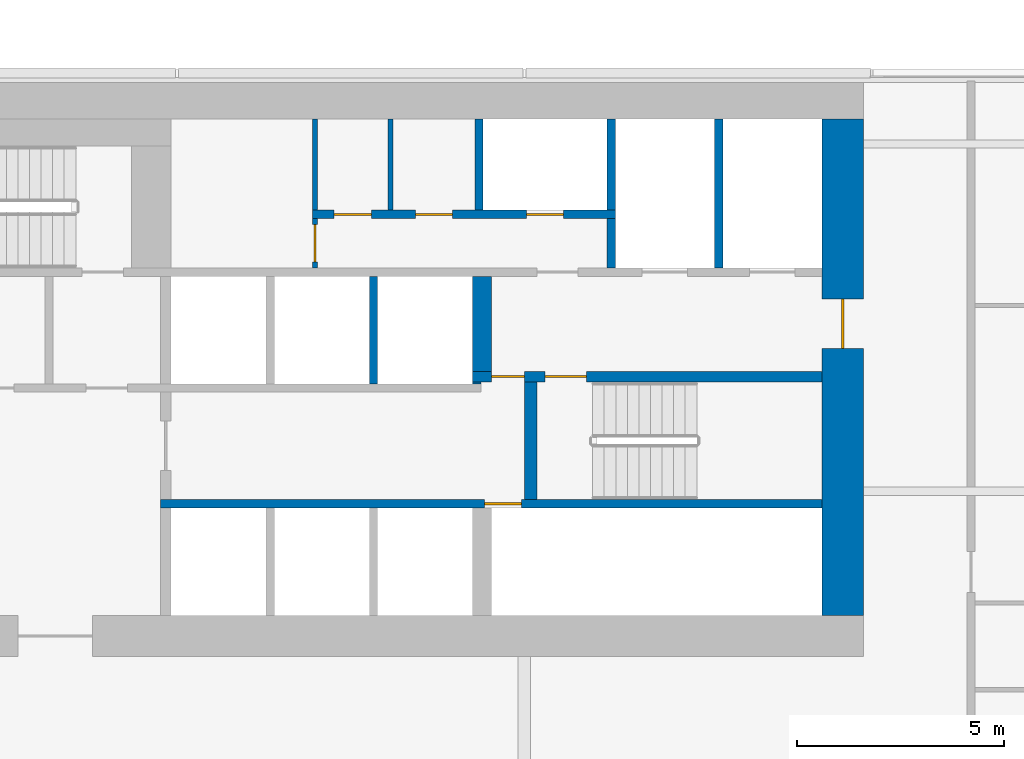
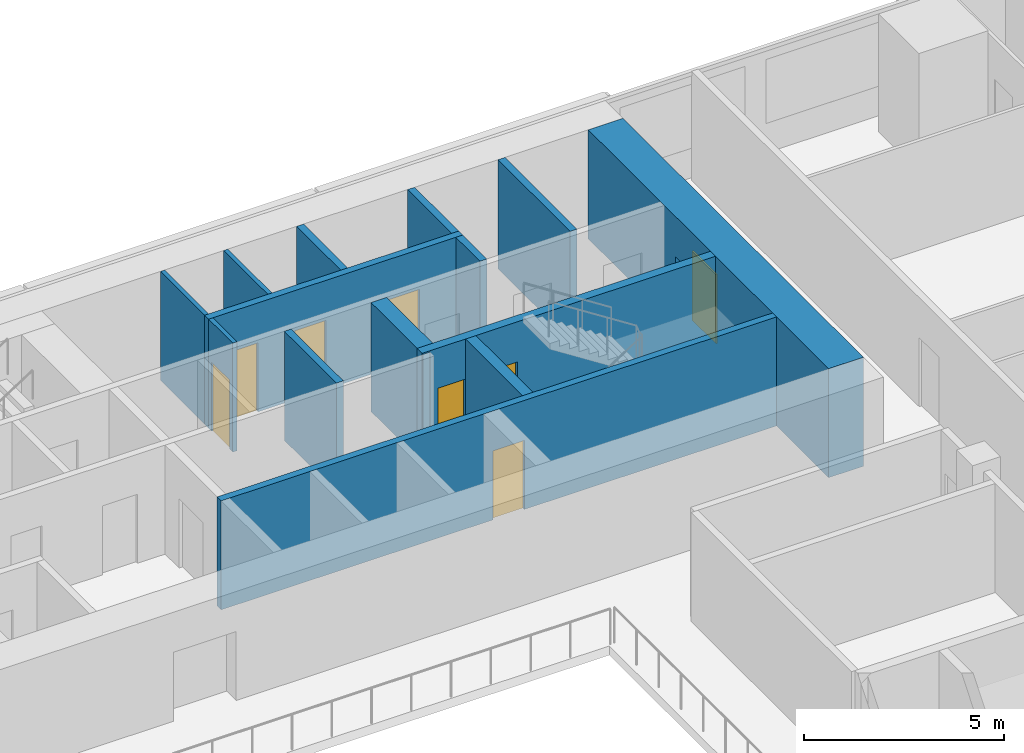
# One storey, part 22 of 27: 15 walls, 8 doors, 8 openings.
"""IFC4 building model written with IfcOpenShell, lengths in metres."""

from ifc_helpers import new_model, si_unit, direction, frame, frame_2d, origin, place, context, subcontext, project, spatial, rectangle, extrude, material, layer, layer_set, type_object, element, fill, save


model = new_model("IFC4")

# Units and contexts
model_context = context("Model", 3, precision=1e-05, world=origin(), true_north=direction((0.0, 1.0)))
body_context = subcontext(model_context, "Body", "Model", "MODEL_VIEW")
ifc_project = project(units=[si_unit("LENGTHUNIT", "METRE"), si_unit("AREAUNIT", "SQUARE_METRE"), si_unit("VOLUMEUNIT", "CUBIC_METRE"), si_unit("PLANEANGLEUNIT", "RADIAN"), si_unit("MASSUNIT", "GRAM", prefix="KILO")], contexts=[model_context])

# Site, building, storey
site_placement = place(None, origin())
site = spatial("IfcSite", under=ifc_project, at=site_placement, CompositionType="ELEMENT")
building_placement = place(site_placement, origin())
building = spatial("IfcBuilding", under=site, at=building_placement, Name="Saffron Gate Tower", CompositionType="ELEMENT")
storey_placement = place(building_placement, frame((0.0, 0.0, 124.050048828125)))
storey = spatial("IfcBuildingStorey", under=building, at=storey_placement, Name="L29", CompositionType="ELEMENT", Elevation=124.050048828125)

# Wall, opening, door
ifc_material_1 = material(Name="Concrete C70", Category="concrete")
ifc_layer_1 = layer(ifc_material_1, 1.0)
ifc_layer_set_1 = layer_set([ifc_layer_1], Name="CW12 RC core wall 1000 C70")
wall_type_1 = type_object("IfcWallType", Name="CW12 RC core wall 1000 C70", PredefinedType="SOLIDWALL", material=ifc_layer_set_1)
wall_1_placement = place(storey_placement, frame((107.89990234375, 62.39990234375, 0.0), z_axis=(0.0, 0.0, 1.0), x_axis=(0.0, 1.0, 0.0)))
wall_1 = element("IfcWall", 1, at=wall_1_placement, inside=storey, type_object=wall_type_1, Name="Wall CW12-L29-4", PredefinedType="SOLIDWALL", context=body_context, shape_type="SweptSolid", body=[
    extrude(rectangle(XDim=12.0, YDim=1.0, at=frame_2d((6.0, 0.0))), origin(), (0.0, 0.0, 1.0), 3.320068359375),
])
opening_1_placement = place(wall_1_placement, frame((6.449951171875, 0.0, 0.0)))
opening_1 = element("IfcOpeningElement", 2, at=opening_1_placement, cuts=wall_1, Name="Opening CR-08", PredefinedType="OPENING", context=body_context, shape_type="SweptSolid", body=[
    extrude(rectangle(XDim=1.199951171875, YDim=2.10009765625, at=frame_2d((0.60009765625, 1.050048828125))), frame((0.0, 0.510009765625, 0.0), z_axis=(0.0, -1.0, 0.0), x_axis=(1.0, 0.0, 0.0)), (0.0, 0.0, 1.0), 1.02001953125),
])
ifc_material_2 = material(Name="Steel fire door set", Category="steel")
door_type_1 = type_object("IfcDoorType", Name="CD7 Core entrance door 1200x2100 EI 120", OperationType="NOTDEFINED", PredefinedType="DOOR", material=ifc_material_2)
door_1_placement = place(opening_1_placement, origin())
door_1 = element("IfcDoor", 3, at=door_1_placement, inside=storey, type_object=door_type_1, Name="DOOR CR-08", OperationType="SINGLE_SWING_RIGHT", OverallHeight=2.10009765625, OverallWidth=1.199951171875, PredefinedType="DOOR", context=body_context, shape_type="SweptSolid", body=[
    extrude(rectangle(XDim=1.199951171875, YDim=2.10009765625, at=frame_2d((0.60009765625, 1.050048828125))), frame((0.0, 0.02490234375, 0.0), z_axis=(0.0, -1.0, 0.0), x_axis=(1.0, 0.0, 0.0)), (0.0, 0.0, 1.0), 0.050048828125),
])
fill(opening_1, door_1)

# Wall, openings, doors
ifc_layer_2 = layer(ifc_material_1, 0.25)
ifc_layer_set_2 = layer_set([ifc_layer_2], Name="CW2 RC core wall 250 C70")
wall_type_2 = type_object("IfcWallType", Name="CW2 RC core wall 250 C70", PredefinedType="SOLIDWALL", material=ifc_layer_set_2)
wall_2_placement = place(storey_placement, frame((98.949951171875, 68.175048828125, 0.0), z_axis=(0.0, 0.0, 1.0), x_axis=(1.0, 0.0, 0.0)))
wall_2 = element("IfcWall", 4, at=wall_2_placement, inside=storey, type_object=wall_type_2, Name="Wall CW2-L29-31", PredefinedType="SOLIDWALL", context=body_context, shape_type="SweptSolid", body=[
    extrude(rectangle(XDim=8.449951171875, YDim=0.25, at=frame_2d((4.22509765625, 0.0))), origin(), (0.0, 0.0, 1.0), 3.320068359375),
])
opening_2_placement = place(wall_2_placement, frame((0.449951171875, 0.0, 0.0)))
opening_2 = element("IfcOpeningElement", 5, at=opening_2_placement, cuts=wall_2, Name="Opening CR-05", PredefinedType="OPENING", context=body_context, shape_type="SweptSolid", body=[
    extrude(rectangle(XDim=0.800048828125, YDim=2.10009765625, at=frame_2d((0.39990234375, 1.050048828125))), frame((0.0, 0.135009765625, 0.0), z_axis=(0.0, -1.0, 0.0), x_axis=(1.0, 0.0, 0.0)), (0.0, 0.0, 1.0), 0.27001953125),
])
opening_3_placement = place(wall_2_placement, frame((1.75, 0.0, 0.0)))
opening_3 = element("IfcOpeningElement", 6, at=opening_3_placement, cuts=wall_2, Name="Opening CR-16", PredefinedType="OPENING", context=body_context, shape_type="SweptSolid", body=[
    extrude(rectangle(XDim=1.0, YDim=2.10009765625, at=frame_2d((0.5, 1.050048828125))), frame((0.0, 0.135009765625, 0.0), z_axis=(0.0, -1.0, 0.0), x_axis=(1.0, 0.0, 0.0)), (0.0, 0.0, 1.0), 0.27001953125),
])
door_type_2 = type_object("IfcDoorType", Name="CD5 Stair door 1000x2100 EI 120", OperationType="NOTDEFINED", PredefinedType="DOOR", material=ifc_material_2)
door_2_placement = place(opening_3_placement, origin())
door_2 = element("IfcDoor", 7, at=door_2_placement, inside=storey, type_object=door_type_2, Name="DOOR CR-16", OperationType="SINGLE_SWING_RIGHT", OverallHeight=2.10009765625, OverallWidth=1.0, PredefinedType="DOOR", context=body_context, shape_type="SweptSolid", body=[
    extrude(rectangle(XDim=1.0, YDim=2.10009765625, at=frame_2d((0.5, 1.050048828125))), frame((0.0, 0.02490234375, 0.0), z_axis=(0.0, -1.0, 0.0), x_axis=(1.0, 0.0, 0.0)), (0.0, 0.0, 1.0), 0.050048828125),
])
fill(opening_3, door_2)
door_type_3 = type_object("IfcDoorType", Name="CD6 Lobby door 800x2100 EI 120", OperationType="NOTDEFINED", PredefinedType="DOOR", material=ifc_material_2)
door_3_placement = place(opening_2_placement, origin())
door_3 = element("IfcDoor", 8, at=door_3_placement, inside=storey, type_object=door_type_3, Name="DOOR CR-05", OperationType="SINGLE_SWING_LEFT", OverallHeight=2.10009765625, OverallWidth=0.800048828125, PredefinedType="DOOR", context=body_context, shape_type="SweptSolid", body=[
    extrude(rectangle(XDim=0.800048828125, YDim=2.10009765625, at=frame_2d((0.39990234375, 1.050048828125))), frame((0.0, 0.02490234375, 0.0), z_axis=(0.0, -1.0, 0.0), x_axis=(1.0, 0.0, 0.0)), (0.0, 0.0, 1.0), 0.050048828125),
])
fill(opening_2, door_3)

# Wall, opening, door
ifc_layer_3 = layer(ifc_material_1, 0.199951171875)
ifc_layer_set_3 = layer_set([ifc_layer_3], Name="CW3 RC core wall 200 C70")
wall_type_3 = type_object("IfcWallType", Name="CW3 RC core wall 200 C70", PredefinedType="SOLIDWALL", material=ifc_layer_set_3)
wall_3_placement = place(storey_placement, frame((91.39990234375, 65.10009765625, 0.0), z_axis=(0.0, 0.0, 1.0), x_axis=(1.0, 0.0, 0.0)))
wall_3 = element("IfcWall", 9, at=wall_3_placement, inside=storey, type_object=wall_type_3, Name="Wall CW3-L29-15", PredefinedType="SOLIDWALL", context=body_context, shape_type="SweptSolid", body=[
    extrude(rectangle(XDim=16.0, YDim=0.199951171875, at=frame_2d((8.0, 0.0))), origin(), (0.0, 0.0, 1.0), 3.320068359375),
])
opening_4_placement = place(wall_3_placement, frame((7.830078125, 0.0, 0.0)))
opening_4 = element("IfcOpeningElement", 10, at=opening_4_placement, cuts=wall_3, Name="Opening CR-48", PredefinedType="OPENING", context=body_context, shape_type="SweptSolid", body=[
    extrude(rectangle(XDim=0.89990234375, YDim=2.10009765625, at=frame_2d((0.449951171875, 1.050048828125))), frame((0.0, 0.10986328125, 0.0), z_axis=(0.0, -1.0, 0.0), x_axis=(1.0, 0.0, 0.0)), (0.0, 0.0, 1.0), 0.219970703125),
])
door_type_4 = type_object("IfcDoorType", Name="CD2 Riser door 900x2100 EI 60", OperationType="NOTDEFINED", PredefinedType="DOOR", material=ifc_material_2)
door_4_placement = place(opening_4_placement, origin())
door_4 = element("IfcDoor", 11, at=door_4_placement, inside=storey, type_object=door_type_4, Name="DOOR CR-48", OperationType="SINGLE_SWING_RIGHT", OverallHeight=2.10009765625, OverallWidth=0.89990234375, PredefinedType="DOOR", context=body_context, shape_type="SweptSolid", body=[
    extrude(rectangle(XDim=0.89990234375, YDim=2.10009765625, at=frame_2d((0.449951171875, 1.050048828125))), frame((0.0, 0.02490234375, 0.0), z_axis=(0.0, -1.0, 0.0), x_axis=(1.0, 0.0, 0.0)), (0.0, 0.0, 1.0), 0.050048828125),
])
fill(opening_4, door_4)

# Walls
wall_4_placement = place(storey_placement, frame((96.550048828125, 68.0, 0.0), z_axis=(0.0, 0.0, 1.0), x_axis=(0.0, 1.0, 0.0)))
element("IfcWall", 12, at=wall_4_placement, inside=storey, type_object=wall_type_3, Name="Wall CW3-L29-28", PredefinedType="SOLIDWALL", context=body_context, shape_type="SweptSolid", body=[
    extrude(rectangle(XDim=2.60009765625, YDim=0.199951171875, at=frame_2d((1.300048828125, 0.0))), origin(), (0.0, 0.0, 1.0), 3.320068359375),
])
wall_5_placement = place(storey_placement, frame((102.300048828125, 70.800048828125, 0.0), z_axis=(0.0, 0.0, 1.0), x_axis=(0.0, 1.0, 0.0)))
element("IfcWall", 13, at=wall_5_placement, inside=storey, type_object=wall_type_3, Name="Wall CW3-L29-41", PredefinedType="SOLIDWALL", context=body_context, shape_type="SweptSolid", body=[
    extrude(rectangle(XDim=1.199951171875, YDim=0.199951171875, at=frame_2d((0.60009765625, 0.0))), origin(), (0.0, 0.0, 1.0), 3.320068359375),
])
wall_6_placement = place(storey_placement, frame((104.89990234375, 70.800048828125, 0.0), z_axis=(0.0, 0.0, 1.0), x_axis=(0.0, 1.0, 0.0)))
element("IfcWall", 14, at=wall_6_placement, inside=storey, type_object=wall_type_3, Name="Wall CW3-L29-42", PredefinedType="SOLIDWALL", context=body_context, shape_type="SweptSolid", body=[
    extrude(rectangle(XDim=3.599853515625, YDim=0.199951171875, at=frame_2d((1.7998046875, 0.0))), origin(), (0.0, 0.0, 1.0), 3.320068359375),
])

# Wall, openings, doors
wall_7_placement = place(storey_placement, frame((95.080078125, 72.10009765625, 0.0), z_axis=(0.0, 0.0, 1.0), x_axis=(1.0, 0.0, 0.0)))
wall_7 = element("IfcWall", 15, at=wall_7_placement, inside=storey, type_object=wall_type_3, Name="Wall CW3-L29-44", PredefinedType="SOLIDWALL", context=body_context, shape_type="SweptSolid", body=[
    extrude(rectangle(XDim=7.31982421875, YDim=0.199951171875, at=frame_2d((3.659912109375, 0.0))), origin(), (0.0, 0.0, 1.0), 3.320068359375),
])
opening_5_placement = place(wall_7_placement, frame((0.52001953125, 0.0, 0.0)))
opening_5 = element("IfcOpeningElement", 16, at=opening_5_placement, cuts=wall_7, Name="Opening CR-50", PredefinedType="OPENING", context=body_context, shape_type="SweptSolid", body=[
    extrude(rectangle(XDim=0.89990234375, YDim=2.10009765625, at=frame_2d((0.449951171875, 1.050048828125))), frame((0.0, 0.10986328125, 0.0), z_axis=(0.0, -1.0, 0.0), x_axis=(1.0, 0.0, 0.0)), (0.0, 0.0, 1.0), 0.219970703125),
])
opening_6_placement = place(wall_7_placement, frame((2.47998046875, 0.0, 0.0)))
opening_6 = element("IfcOpeningElement", 17, at=opening_6_placement, cuts=wall_7, Name="Opening CR-53", PredefinedType="OPENING", context=body_context, shape_type="SweptSolid", body=[
    extrude(rectangle(XDim=0.89990234375, YDim=2.10009765625, at=frame_2d((0.449951171875, 1.050048828125))), frame((0.0, 0.10986328125, 0.0), z_axis=(0.0, -1.0, 0.0), x_axis=(1.0, 0.0, 0.0)), (0.0, 0.0, 1.0), 0.219970703125),
])
opening_7_placement = place(wall_7_placement, frame((5.169921875, 0.0, 0.0)))
opening_7 = element("IfcOpeningElement", 18, at=opening_7_placement, cuts=wall_7, Name="Opening CR-70", PredefinedType="OPENING", context=body_context, shape_type="SweptSolid", body=[
    extrude(rectangle(XDim=0.89990234375, YDim=2.10009765625, at=frame_2d((0.449951171875, 1.050048828125))), frame((0.0, 0.10986328125, 0.0), z_axis=(0.0, -1.0, 0.0), x_axis=(1.0, 0.0, 0.0)), (0.0, 0.0, 1.0), 0.219970703125),
])
door_5_placement = place(opening_7_placement, origin())
door_5 = element("IfcDoor", 19, at=door_5_placement, inside=storey, type_object=door_type_4, Name="DOOR CR-70", OperationType="SINGLE_SWING_LEFT", OverallHeight=2.10009765625, OverallWidth=0.89990234375, PredefinedType="DOOR", context=body_context, shape_type="SweptSolid", body=[
    extrude(rectangle(XDim=0.89990234375, YDim=2.10009765625, at=frame_2d((0.449951171875, 1.050048828125))), frame((0.0, 0.02490234375, 0.0), z_axis=(0.0, -1.0, 0.0), x_axis=(1.0, 0.0, 0.0)), (0.0, 0.0, 1.0), 0.050048828125),
])
fill(opening_7, door_5)
door_type_5 = type_object("IfcDoorType", Name="CD9 Room door 900x2100 EI 60", OperationType="NOTDEFINED", PredefinedType="DOOR", material=ifc_material_2)
door_6_placement = place(opening_5_placement, origin())
door_6 = element("IfcDoor", 20, at=door_6_placement, inside=storey, type_object=door_type_5, Name="DOOR CR-50", OperationType="SINGLE_SWING_LEFT", OverallHeight=2.10009765625, OverallWidth=0.89990234375, PredefinedType="DOOR", context=body_context, shape_type="SweptSolid", body=[
    extrude(rectangle(XDim=0.89990234375, YDim=2.10009765625, at=frame_2d((0.449951171875, 1.050048828125))), frame((0.0, 0.02490234375, 0.0), z_axis=(0.0, -1.0, 0.0), x_axis=(1.0, 0.0, 0.0)), (0.0, 0.0, 1.0), 0.050048828125),
])
fill(opening_5, door_6)
door_7_placement = place(opening_6_placement, origin())
door_7 = element("IfcDoor", 21, at=door_7_placement, inside=storey, type_object=door_type_5, Name="DOOR CR-53", OperationType="SINGLE_SWING_LEFT", OverallHeight=2.10009765625, OverallWidth=0.89990234375, PredefinedType="DOOR", context=body_context, shape_type="SweptSolid", body=[
    extrude(rectangle(XDim=0.89990234375, YDim=2.10009765625, at=frame_2d((0.449951171875, 1.050048828125))), frame((0.0, 0.02490234375, 0.0), z_axis=(0.0, -1.0, 0.0), x_axis=(1.0, 0.0, 0.0)), (0.0, 0.0, 1.0), 0.050048828125),
])
fill(opening_6, door_7)

# Walls
for number, where, z_axis, x_axis, name in (
    (22, (99.10009765625, 72.199951171875, 0.0), (0.0, 0.0, 1.0), (0.0, 1.0, 0.0), "Wall CW3-L29-51"),
    (23, (102.300048828125, 72.199951171875, 0.0), (0.0, 0.0, 1.0), (0.0, 1.0, 0.0), "Wall CW3-L29-52"),
):
    element("IfcWall", number, at=place(storey_placement, frame(where, z_axis=z_axis, x_axis=x_axis)), inside=storey, type_object=wall_type_3, Name=name, PredefinedType="SOLIDWALL", context=body_context, shape_type="SweptSolid", body=[
        extrude(rectangle(XDim=2.199951171875, YDim=0.199951171875, at=frame_2d((1.10009765625, 0.0))), origin(), (0.0, 0.0, 1.0), 3.320068359375),
    ])
ifc_layer_4 = layer(ifc_material_1, 0.449951171875)
ifc_layer_set_4 = layer_set([ifc_layer_4], Name="CW4 RC core wall 450 C70")
wall_type_4 = type_object("IfcWallType", Name="CW4 RC core wall 450 C70", PredefinedType="SOLIDWALL", material=ifc_layer_set_4)
wall_8_placement = place(storey_placement, frame((99.175048828125, 68.300048828125, 0.0), z_axis=(0.0, 0.0, 1.0), x_axis=(0.0, 1.0, 0.0)))
element("IfcWall", 24, at=wall_8_placement, inside=storey, type_object=wall_type_4, Name="Wall CW4-L29-33", PredefinedType="SOLIDWALL", context=body_context, shape_type="SweptSolid", body=[
    extrude(rectangle(XDim=2.300048828125, YDim=0.449951171875, at=frame_2d((1.14990234375, 0.0))), origin(), (0.0, 0.0, 1.0), 3.320068359375),
])
ifc_layer_5 = layer(ifc_material_1, 0.300048828125)
ifc_layer_set_5 = layer_set([ifc_layer_5], Name="CW5 RC core wall 300 C70")
wall_type_5 = type_object("IfcWallType", Name="CW5 RC core wall 300 C70", PredefinedType="SOLIDWALL", material=ifc_layer_set_5)
wall_9_placement = place(storey_placement, frame((100.35009765625, 65.199951171875, 0.0), z_axis=(0.0, 0.0, 1.0), x_axis=(0.0, 1.0, 0.0)))
element("IfcWall", 25, at=wall_9_placement, inside=storey, type_object=wall_type_5, Name="Wall CW5-L29-19", PredefinedType="SOLIDWALL", context=body_context, shape_type="SweptSolid", body=[
    extrude(rectangle(XDim=2.85009765625, YDim=0.300048828125, at=frame_2d((1.425048828125, 0.0))), origin(), (0.0, 0.0, 1.0), 3.320068359375),
])
ifc_layer_6 = layer(ifc_material_1, 0.050048828125)
ifc_layer_set_6 = layer_set([ifc_layer_6], Name="CW6 RC core wall 50 C70")
wall_type_6 = type_object("IfcWallType", Name="CW6 RC core wall 50 C70", PredefinedType="SOLIDWALL", material=ifc_layer_set_6)
wall_10_placement = place(storey_placement, frame((98.949951171875, 68.02490234375, 0.0), z_axis=(0.0, 0.0, 1.0), x_axis=(1.0, 0.0, 0.0)))
element("IfcWall", 26, at=wall_10_placement, inside=storey, type_object=wall_type_6, Name="Wall CW6-L29-29", PredefinedType="SOLIDWALL", context=body_context, shape_type="SweptSolid", body=[
    extrude(rectangle(XDim=0.199951171875, YDim=0.050048828125, at=frame_2d((0.10009765625, 0.0))), origin(), (0.0, 0.0, 1.0), 3.320068359375),
])

# Wall, opening, door
ifc_material_3 = material(Name="Gypsum board partition on steel studs", Category="steel")
ifc_layer_7 = layer(ifc_material_3, 0.1201171875)
ifc_layer_set_7 = layer_set([ifc_layer_7], Name="CW8 Core partition 120")
wall_type_7 = type_object("IfcWallType", Name="CW8 Core partition 120", PredefinedType="PARTITIONING", material=ifc_layer_set_7)
wall_11_placement = place(storey_placement, frame((95.139892578125, 70.800048828125, 0.0), z_axis=(0.0, 0.0, 1.0), x_axis=(0.0, 1.0, 0.0)))
wall_11 = element("IfcWall", 27, at=wall_11_placement, inside=storey, type_object=wall_type_7, Name="Wall CW8-L29-40", PredefinedType="PARTITIONING", context=body_context, shape_type="SweptSolid", body=[
    extrude(rectangle(XDim=1.199951171875, YDim=0.1201171875, at=frame_2d((0.60009765625, 0.0))), origin(), (0.0, 0.0, 1.0), 3.320068359375),
])
opening_8_placement = place(wall_11_placement, frame((0.14990234375, 0.0, 0.0)))
opening_8 = element("IfcOpeningElement", 28, at=opening_8_placement, cuts=wall_11, Name="Opening CR-54", PredefinedType="OPENING", context=body_context, shape_type="SweptSolid", body=[
    extrude(rectangle(XDim=0.89990234375, YDim=2.10009765625, at=frame_2d((0.449951171875, 1.050048828125))), frame((0.0, 0.070068359375, 0.0), z_axis=(0.0, -1.0, 0.0), x_axis=(1.0, 0.0, 0.0)), (0.0, 0.0, 1.0), 0.14013671875),
])
door_8_placement = place(opening_8_placement, origin())
door_8 = element("IfcDoor", 29, at=door_8_placement, inside=storey, type_object=door_type_5, Name="DOOR CR-54", OperationType="SINGLE_SWING_LEFT", OverallHeight=2.10009765625, OverallWidth=0.89990234375, PredefinedType="DOOR", context=body_context, shape_type="SweptSolid", body=[
    extrude(rectangle(XDim=0.89990234375, YDim=2.10009765625, at=frame_2d((0.449951171875, 1.050048828125))), frame((0.0, 0.02490234375, 0.0), z_axis=(0.0, -1.0, 0.0), x_axis=(1.0, 0.0, 0.0)), (0.0, 0.0, 1.0), 0.050048828125),
])
fill(opening_8, door_8)

# Walls
for number, where, z_axis, x_axis, name in (
    (30, (95.139892578125, 72.199951171875, 0.0), (0.0, 0.0, 1.0), (0.0, 1.0, 0.0), "Wall CW8-L29-49"),
    (31, (96.9599609375, 72.199951171875, 0.0), (0.0, 0.0, 1.0), (0.0, 1.0, 0.0), "Wall CW8-L29-50"),
):
    element("IfcWall", number, at=place(storey_placement, frame(where, z_axis=z_axis, x_axis=x_axis)), inside=storey, type_object=wall_type_7, Name=name, PredefinedType="PARTITIONING", context=body_context, shape_type="SweptSolid", body=[
        extrude(rectangle(XDim=2.199951171875, YDim=0.1201171875, at=frame_2d((1.10009765625, 0.0))), origin(), (0.0, 0.0, 1.0), 3.320068359375),
    ])

save(model, "model.ifc")
